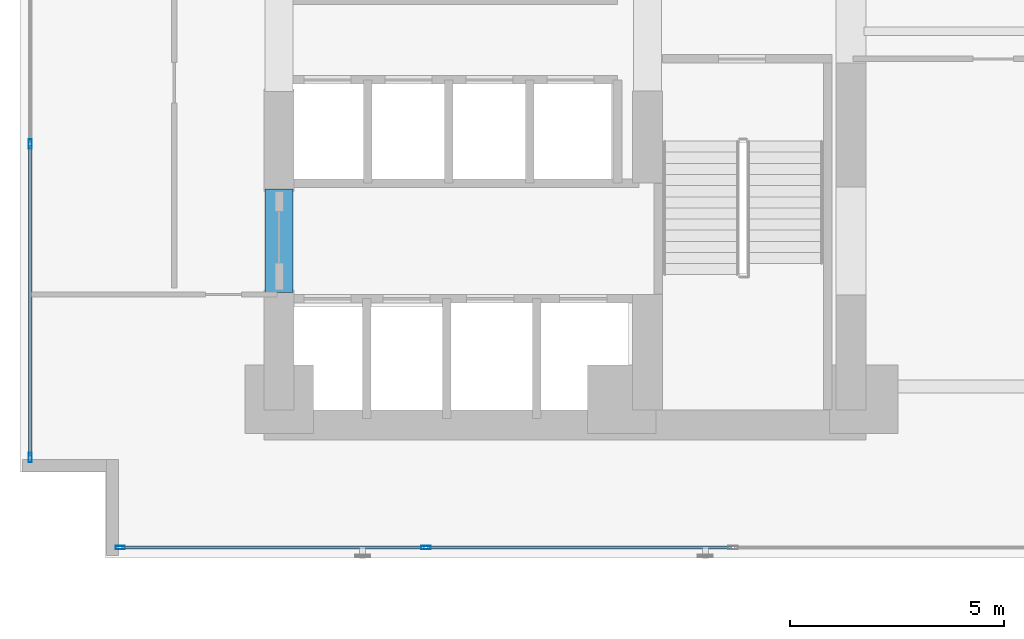
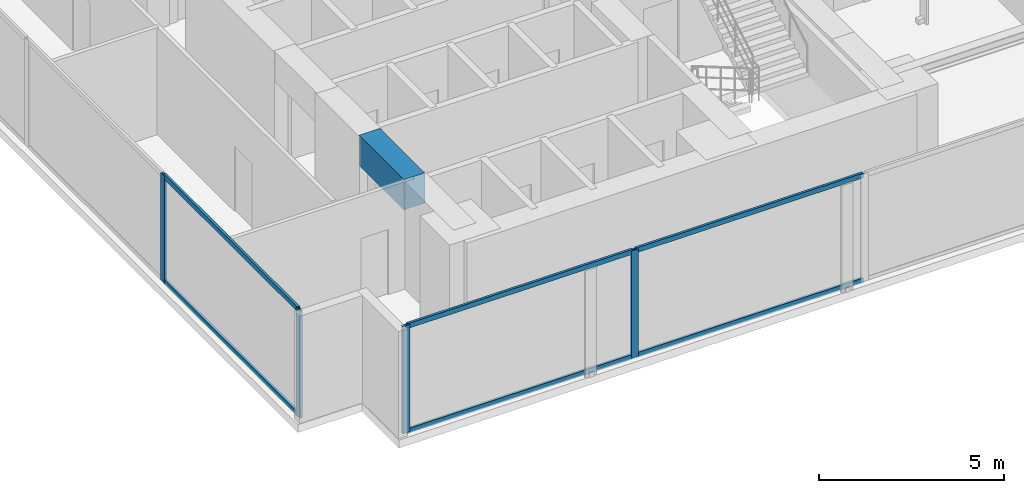
# One storey, part 2 of 26: 10 members, 1 beam, 2 elements without a shape of their own.
"""IFC4 building model written with IfcOpenShell, lengths in metres."""

from ifc_helpers import new_model, si_unit, direction, frame, origin, origin_with_axes, origin_2d, place, context, subcontext, project, spatial, rectangle, hollow_rectangle, extrude, source, transform, mapped, material, layer, layer_set, material_profile, profile_set, type_object, element, aggregate, save


model = new_model("IFC4")

# Units and contexts
model_context = context("Model", 3, precision=1e-05, world=origin(), true_north=direction((0.0, 1.0)))
body_context = subcontext(model_context, "Body", "Model", "MODEL_VIEW")
ifc_project = project(units=[si_unit("LENGTHUNIT", "METRE"), si_unit("AREAUNIT", "SQUARE_METRE"), si_unit("VOLUMEUNIT", "CUBIC_METRE"), si_unit("PLANEANGLEUNIT", "RADIAN"), si_unit("MASSUNIT", "GRAM", prefix="KILO")], contexts=[model_context])

# Site, building, storey
site_placement = place(None, origin())
site = spatial("IfcSite", under=ifc_project, at=site_placement, CompositionType="ELEMENT")
building_placement = place(site_placement, origin())
building = spatial("IfcBuilding", under=site, at=building_placement, Name="Kolvaren Waterfront Exchange", CompositionType="ELEMENT")
storey_placement = place(building_placement, frame((0.0, 0.0, 48.60009765625)))
storey = spatial("IfcBuildingStorey", under=building, at=storey_placement, Name="L12", CompositionType="ELEMENT", Elevation=48.60009765625)

# Beam
ifc_material_1 = material(Name="Concrete C60/75", Category="concrete")
ifc_material_profile_1 = material_profile(ifc_material_1, rectangle(XDim=0.64990234375, YDim=1.0, at=origin_2d()), Name="RC-CB-1000x650")
ifc_profile_set_1 = profile_set([ifc_material_profile_1], Name="Concrete C60/75")
beam_type = type_object("IfcBeamType", Name="STR-CB-1000", PredefinedType="SPANDREL", material=ifc_profile_set_1)
beam_placement = place(storey_placement, frame((7.449951171875, 7.389892578125, 3.039794921875), z_axis=(0.0, 1.0, 0.0), x_axis=(-1.0, 0.0, 0.0)))
element("IfcBeam", 1, at=beam_placement, inside=storey, type_object=beam_type, Name="L12 core coupling beam 3", PredefinedType="SPANDREL", context=body_context, shape_type="SweptSolid", body=[
    extrude(rectangle(XDim=0.64990234375, YDim=1.0, at=origin_2d()), origin(), (0.0, 0.0, 1.0), 2.420166015625),
])

# Curtain wall, members
ifc_material_2 = material(Name="Anodised bronze aluminium 6063-T6", Category="aluminium")
ifc_layer_1 = layer(ifc_material_2, 0.219970703125, Name="Anodised bronze aluminium 6063-T6")
ifc_layer_set_1 = layer_set([ifc_layer_1], Name="Anodised bronze aluminium 6063-T6")
curtain_wall_type_1 = type_object("IfcCurtainWallType", Name="ARC-CW-SYS1", PredefinedType="USERDEFINED", material=ifc_layer_set_1)
curtain_wall_1_placement = place(storey_placement, origin())
curtain_wall_1 = element("IfcCurtainWall", 2, at=curtain_wall_1_placement, inside=storey, type_object=curtain_wall_type_1, Name="L12 stick curtain wall CW1 (CW-L12-S)", ObjectType="STICK CURTAIN WALL", PredefinedType="USERDEFINED")
ifc_material_3 = material(Name="Anodised aluminium 6063-T6", Category="aluminium")
ifc_material_profile_2 = material_profile(ifc_material_3, hollow_rectangle(XDim=0.080078125, YDim=0.219970703125, WallThickness=0.0048828125, at=origin_2d()), Name="ALU-MUL-220x80x5")
ifc_profile_set_2 = profile_set([ifc_material_profile_2], Name="Anodised aluminium 6063-T6")
member_type_1 = type_object("IfcMemberType", Name="ARC-CWM-220", PredefinedType="MULLION", material=ifc_profile_set_2)
shared_shape_1 = source(origin_with_axes(), body_context, "Body", "SweptSolid", [
    extrude(hollow_rectangle(XDim=0.080078125, YDim=0.219970703125, WallThickness=0.0048828125, at=origin_2d()), origin(), (0.0, 0.0, 1.0), 3.539794921875),
])
member_1_placement = place(storey_placement, frame((3.739990234375, 1.43994140625, 0.0), z_axis=(0.0, 0.0, 1.0), x_axis=(0.0, 1.0, 0.0)))
member_1 = element("IfcMember", 3, at=member_1_placement, type_object=member_type_1, Name="CW1 mullion 1", PredefinedType="MULLION", context=body_context, shape_type="MappedRepresentation", body=[
    mapped(shared_shape_1, transform((0.0, 0.0, 0.0), x_axis=(1.0, 0.0, 0.0), y_axis=(0.0, 1.0, 0.0), z_axis=(0.0, 0.0, 1.0), scale=1.0)),
])
member_2_placement = place(storey_placement, frame((10.875, 1.43994140625, 0.0), z_axis=(0.0, 0.0, 1.0), x_axis=(0.0, 1.0, 0.0)))
member_2 = element("IfcMember", 4, at=member_2_placement, type_object=member_type_1, Name="CW1 mullion 2", PredefinedType="MULLION", context=body_context, shape_type="MappedRepresentation", body=[
    mapped(shared_shape_1, transform((0.0, 0.0, 0.0), x_axis=(1.0, 0.0, 0.0), y_axis=(0.0, 1.0, 0.0), z_axis=(0.0, 0.0, 1.0), scale=1.0)),
])

ifc_layer_2 = layer(ifc_material_3, 0.219970703125, Name="Anodised aluminium 6063-T6")
ifc_layer_set_2 = layer_set([ifc_layer_2], Name="Anodised aluminium 6063-T6")
curtain_wall_type_2 = type_object("IfcCurtainWallType", Name="ARC-CW-SYS2", PredefinedType="USERDEFINED", material=ifc_layer_set_2)
curtain_wall_2_placement = place(storey_placement, origin())
curtain_wall_2 = element("IfcCurtainWall", 5, at=curtain_wall_2_placement, inside=storey, type_object=curtain_wall_type_2, Name="L12 stick curtain wall CW2 (CW-L12-W)", ObjectType="STICK CURTAIN WALL", PredefinedType="USERDEFINED")
member_3_placement = place(storey_placement, frame((1.639892578125, 3.5400390625, 0.0), z_axis=(0.0, 0.0, 1.0), x_axis=(-1.0, 0.0, 0.0)))
member_3 = element("IfcMember", 6, at=member_3_placement, type_object=member_type_1, Name="CW2 mullion 1", PredefinedType="MULLION", context=body_context, shape_type="MappedRepresentation", body=[
    mapped(shared_shape_1, transform((0.0, 0.0, 0.0), x_axis=(1.0, 0.0, 0.0), y_axis=(0.0, 1.0, 0.0), z_axis=(0.0, 0.0, 1.0), scale=1.0)),
])
member_4_placement = place(storey_placement, frame((1.639892578125, 10.86669921875, 0.0), z_axis=(0.0, 0.0, 1.0), x_axis=(-1.0, 0.0, 0.0)))
member_4 = element("IfcMember", 7, at=member_4_placement, type_object=member_type_1, Name="CW2 mullion 2", PredefinedType="MULLION", context=body_context, shape_type="MappedRepresentation", body=[
    mapped(shared_shape_1, transform((0.0, 0.0, 0.0), x_axis=(1.0, 0.0, 0.0), y_axis=(0.0, 1.0, 0.0), z_axis=(0.0, 0.0, 1.0), scale=1.0)),
])

# Member
ifc_material_profile_3 = material_profile(ifc_material_3, hollow_rectangle(XDim=0.074951171875, YDim=0.159912109375, WallThickness=0.00439453125, at=origin_2d()), Name="ALU-TRN-160x75x4.5")
ifc_profile_set_3 = profile_set([ifc_material_profile_3], Name="Anodised aluminium 6063-T6")
member_type_2 = type_object("IfcMemberType", Name="ARC-CWT-160", PredefinedType="USERDEFINED", material=ifc_profile_set_3)
shared_shape_2 = source(origin_with_axes(), body_context, "Body", "SweptSolid", [
    extrude(hollow_rectangle(XDim=0.074951171875, YDim=0.159912109375, WallThickness=0.00439453125, at=origin_2d()), origin(), (0.0, 0.0, 1.0), 7.054931640625),
])
member_5_placement = place(storey_placement, frame((3.780029296875, 1.43994140625, 0.037353515625), z_axis=(1.0, 0.0, 0.0), x_axis=(0.0, 1.0, 0.0)))
member_5 = element("IfcMember", 8, at=member_5_placement, type_object=member_type_2, Name="CW1 transom 1.1", ObjectType="TRANSOM", PredefinedType="USERDEFINED", context=body_context, shape_type="MappedRepresentation", body=[
    mapped(shared_shape_2, transform((0.0, 0.0, 0.0), x_axis=(1.0, 0.0, 0.0), y_axis=(0.0, 1.0, 0.0), z_axis=(0.0, 0.0, 1.0), scale=1.0)),
])

member_6_placement = place(storey_placement, frame((3.780029296875, 1.43994140625, 3.50244140625), z_axis=(1.0, 0.0, 0.0), x_axis=(0.0, 1.0, 0.0)))
member_6 = element("IfcMember", 9, at=member_6_placement, type_object=member_type_2, Name="CW1 transom 1.2", ObjectType="TRANSOM", PredefinedType="USERDEFINED", context=body_context, shape_type="MappedRepresentation", body=[
    mapped(shared_shape_2, transform((0.0, 0.0, 0.0), x_axis=(1.0, 0.0, 0.0), y_axis=(0.0, 1.0, 0.0), z_axis=(0.0, 0.0, 1.0), scale=1.0)),
])

shared_shape_3 = source(origin_with_axes(), body_context, "Body", "SweptSolid", [
    extrude(hollow_rectangle(XDim=0.074951171875, YDim=0.159912109375, WallThickness=0.00439453125, at=origin_2d()), origin(), (0.0, 0.0, 1.0), 7.094970703125),
])
member_7_placement = place(storey_placement, frame((10.9150390625, 1.43994140625, 0.037353515625), z_axis=(1.0, 0.0, 0.0), x_axis=(0.0, 1.0, 0.0)))
member_7 = element("IfcMember", 10, at=member_7_placement, type_object=member_type_2, Name="CW1 transom 2.1", ObjectType="TRANSOM", PredefinedType="USERDEFINED", context=body_context, shape_type="MappedRepresentation", body=[
    mapped(shared_shape_3, transform((0.0, 0.0, 0.0), x_axis=(1.0, 0.0, 0.0), y_axis=(0.0, 1.0, 0.0), z_axis=(0.0, 0.0, 1.0), scale=1.0)),
])

member_8_placement = place(storey_placement, frame((10.9150390625, 1.43994140625, 3.50244140625), z_axis=(1.0, 0.0, 0.0), x_axis=(0.0, 1.0, 0.0)))
member_8 = element("IfcMember", 11, at=member_8_placement, type_object=member_type_2, Name="CW1 transom 2.2", ObjectType="TRANSOM", PredefinedType="USERDEFINED", context=body_context, shape_type="MappedRepresentation", body=[
    mapped(shared_shape_3, transform((0.0, 0.0, 0.0), x_axis=(1.0, 0.0, 0.0), y_axis=(0.0, 1.0, 0.0), z_axis=(0.0, 0.0, 1.0), scale=1.0)),
])

aggregate(curtain_wall_1, [member_1, member_2, member_5, member_6, member_7, member_8])

shared_shape_4 = source(origin_with_axes(), body_context, "Body", "SweptSolid", [
    extrude(hollow_rectangle(XDim=0.074951171875, YDim=0.159912109375, WallThickness=0.00439453125, at=origin_2d()), origin(), (0.0, 0.0, 1.0), 7.24658203125),
])
member_9_placement = place(storey_placement, frame((1.639892578125, 3.580078125, 0.037353515625), z_axis=(0.0, 1.0, 0.0), x_axis=(-1.0, 0.0, 0.0)))
member_9 = element("IfcMember", 12, at=member_9_placement, type_object=member_type_2, Name="CW2 transom 1.1", ObjectType="TRANSOM", PredefinedType="USERDEFINED", context=body_context, shape_type="MappedRepresentation", body=[
    mapped(shared_shape_4, transform((0.0, 0.0, 0.0), x_axis=(1.0, 0.0, 0.0), y_axis=(0.0, 1.0, 0.0), z_axis=(0.0, 0.0, 1.0), scale=1.0)),
])

member_10_placement = place(storey_placement, frame((1.639892578125, 3.580078125, 3.50244140625), z_axis=(0.0, 1.0, 0.0), x_axis=(-1.0, 0.0, 0.0)))
member_10 = element("IfcMember", 13, at=member_10_placement, type_object=member_type_2, Name="CW2 transom 1.2", ObjectType="TRANSOM", PredefinedType="USERDEFINED", context=body_context, shape_type="MappedRepresentation", body=[
    mapped(shared_shape_4, transform((0.0, 0.0, 0.0), x_axis=(1.0, 0.0, 0.0), y_axis=(0.0, 1.0, 0.0), z_axis=(0.0, 0.0, 1.0), scale=1.0)),
])

aggregate(curtain_wall_2, [member_3, member_4, member_9, member_10])

save(model, "model.ifc")
